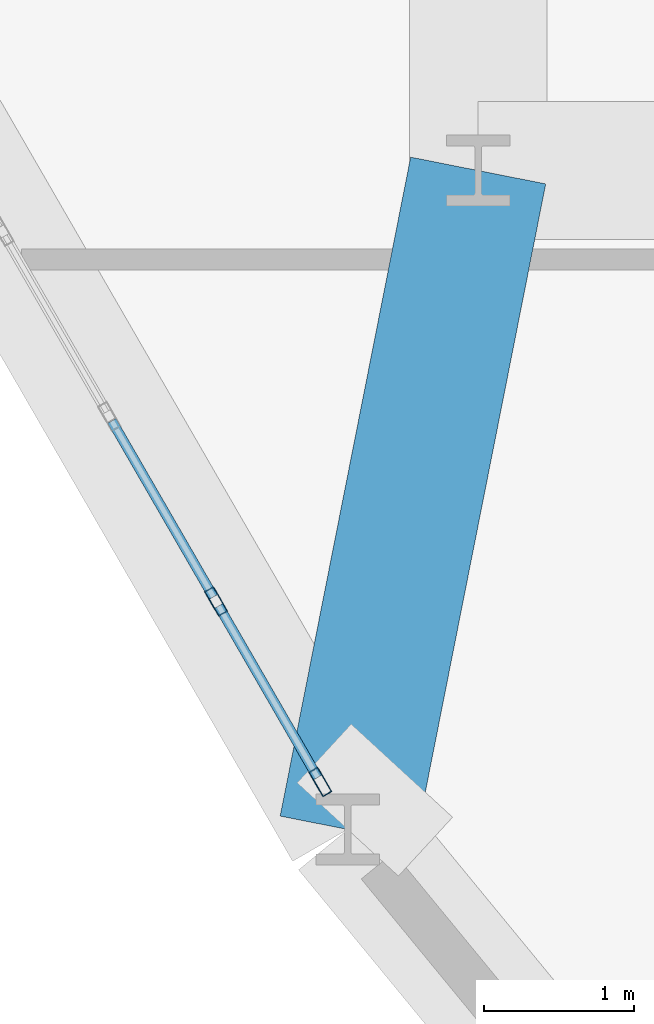
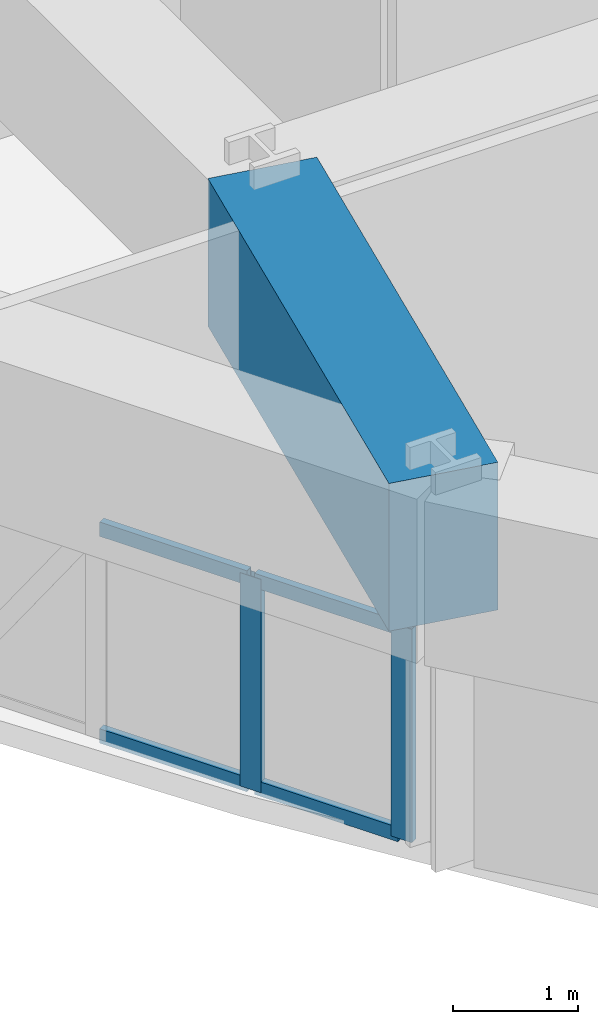
# One storey, part 2 of 17: 6 members, 1 beam, 1 element without a shape of its own.
"""IFC4 building model written with IfcOpenShell, lengths in metres."""

from ifc_helpers import new_model, si_unit, derived_unit, direction, frame, origin, origin_2d, place, context, subcontext, project, spatial, rectangle, hollow_rectangle, extrude, source, transform, mapped, material, layer, layer_set, material_profile, profile_set, type_object, element, aggregate, save


model = new_model("IFC4")

# Units and contexts
model_context = context("Model", 3, precision=1e-05, world=origin(), true_north=direction((0.0, 1.0)))
body_context = subcontext(model_context, "Body", "Model", "MODEL_VIEW")
ifc_project = project(units=[si_unit("LENGTHUNIT", "METRE"), si_unit("AREAUNIT", "SQUARE_METRE"), si_unit("VOLUMEUNIT", "CUBIC_METRE"), si_unit("PLANEANGLEUNIT", "RADIAN"), si_unit("MASSUNIT", "GRAM", prefix="KILO"), derived_unit("THERMALTRANSMITTANCEUNIT", [(si_unit("POWERUNIT", "WATT"), 1), (si_unit("LENGTHUNIT", "METRE"), -2), (si_unit("THERMODYNAMICTEMPERATUREUNIT", "KELVIN"), -1)])], contexts=[model_context])

# Site, building, storey
site_placement = place(None, origin())
site = spatial("IfcSite", under=ifc_project, at=site_placement, CompositionType="ELEMENT")
building_placement = place(site_placement, origin())
building = spatial("IfcBuilding", under=site, at=building_placement, Name="Korsvarv Bourse and Concert Hall", CompositionType="ELEMENT")
storey_placement = place(building_placement, frame((0.0, 0.0, 83.39990234375)))
storey = spatial("IfcBuildingStorey", under=building, at=storey_placement, Name="L20", CompositionType="ELEMENT", Elevation=83.39990234375)

# Beam
ifc_material_1 = material(Name="Concrete C50/60", Category="concrete")
ifc_material_profile_1 = material_profile(ifc_material_1, rectangle(XDim=0.919921875, YDim=1.43994140625, at=origin_2d()), Name="RC-BM 920x1440")
ifc_profile_set_1 = profile_set([ifc_material_profile_1], Name="Concrete C50/60")
beam_type = type_object("IfcBeamType", Name="BM-TR-144", PredefinedType="BEAM", material=ifc_profile_set_1)
shared_shape_1 = source(origin(), body_context, "Body", "SweptSolid", [
    extrude(rectangle(XDim=0.919921875, YDim=1.43994140625, at=origin_2d()), origin(), (0.0, 0.0, 1.0), 4.4873046875),
])
beam_placement = place(storey_placement, frame((26.728515625, 19.59814453125, 2.960205078125), z_axis=(0.194232459341, 0.980955529949, 0.0), x_axis=(-0.980955529949, 0.194232459341, 0.0)))
element("IfcBeam", 1, at=beam_placement, inside=storey, type_object=beam_type, Name="L20 beam B-TR4", PredefinedType="BEAM", context=body_context, shape_type="MappedRepresentation", body=[
    mapped(shared_shape_1, transform((0.0, 0.0, 0.0), scale=1.0)),
])

# Curtain wall, members
ifc_material_2 = material(Name="Anodised aluminium and triple low-E glazing", Category="glass")
ifc_layer = layer(ifc_material_2, 0.219970703125)
ifc_layer_set = layer_set([ifc_layer], Name="Anodised aluminium and triple low-E glazing")
curtain_wall_type = type_object("IfcCurtainWallType", Name="CW-SYS-1", PredefinedType="NOTDEFINED", material=ifc_layer_set)
curtain_wall_placement = place(storey_placement, origin())
curtain_wall = element("IfcCurtainWall", 2, at=curtain_wall_placement, inside=storey, type_object=curtain_wall_type, Name="L20 CW1 curtain wall CW-L20-F07", PredefinedType="NOTDEFINED")
ifc_material_3 = material(Name="Extruded aluminium EN AW-6063 T66", Category="aluminium")
ifc_material_profile_2 = material_profile(ifc_material_3, hollow_rectangle(XDim=0.070068359375, YDim=0.18994140625, WallThickness=0.0048828125, at=origin_2d()), Name="ALU-M 70x190")
ifc_profile_set_2 = profile_set([ifc_material_profile_2], Name="Extruded aluminium EN AW-6063 T66")
member_type_1 = type_object("IfcMemberType", Name="CWM-190", PredefinedType="MULLION", material=ifc_profile_set_2)
shared_shape_2 = source(origin(), body_context, "Body", "SweptSolid", [
    extrude(hollow_rectangle(XDim=0.070068359375, YDim=0.18994140625, WallThickness=0.0048828125, at=origin_2d()), origin(), (0.0, 0.0, 1.0), 2.080078125),
])
member_1_placement = place(storey_placement, frame((25.848876953125, 21.121337890625, 0.0), z_axis=(0.0, 0.0, 1.0), x_axis=(0.866024243871, 0.500002009023, 0.0)))
member_1 = element("IfcMember", 3, at=member_1_placement, type_object=member_type_1, Name="CW1 mullion 10", PredefinedType="MULLION", context=body_context, shape_type="MappedRepresentation", body=[
    mapped(shared_shape_2, transform((0.0, 0.0, 0.0), scale=1.0)),
])
member_2_placement = place(storey_placement, frame((26.545166015625, 19.91552734375, 0.0), z_axis=(0.0, 0.0, 1.0), x_axis=(0.866024243871, 0.500002009023, 0.0)))
member_2 = element("IfcMember", 4, at=member_2_placement, type_object=member_type_1, Name="CW1 mullion 11", PredefinedType="MULLION", context=body_context, shape_type="MappedRepresentation", body=[
    mapped(shared_shape_2, transform((0.0, 0.0, 0.0), scale=1.0)),
])
ifc_material_profile_3 = material_profile(ifc_material_3, hollow_rectangle(XDim=0.06494140625, YDim=0.139892578125, WallThickness=0.00390625, at=origin_2d()), Name="ALU-T 65x140")
ifc_profile_set_3 = profile_set([ifc_material_profile_3], Name="Extruded aluminium EN AW-6063 T66")
member_type_2 = type_object("IfcMemberType", Name="CWT-140", PredefinedType="USERDEFINED", material=ifc_profile_set_3)
shared_shape_3 = source(origin(), body_context, "Body", "SweptSolid", [
    extrude(hollow_rectangle(XDim=0.06494140625, YDim=0.139892578125, WallThickness=0.00390625, at=origin_2d()), origin(), (0.0, 0.0, 1.0), 1.322509765625),
])
member_3_placement = place(storey_placement, frame((25.866455078125, 21.091064453125, 0.03271484375), z_axis=(0.499951520798, -0.866053391456, 0.0), x_axis=(0.866053391456, 0.499951520798, 0.0)))
member_3 = element("IfcMember", 5, at=member_3_placement, type_object=member_type_2, Name="CW1 transom 10.1", ObjectType="TRANSOM", PredefinedType="USERDEFINED", context=body_context, shape_type="MappedRepresentation", body=[
    mapped(shared_shape_3, transform((0.0, 0.0, 0.0), scale=1.0)),
])
member_4_placement = place(storey_placement, frame((25.866455078125, 21.091064453125, 2.047607421875), z_axis=(0.499951520798, -0.866053391456, 0.0), x_axis=(0.866053391456, 0.499951520798, 0.0)))
member_4 = element("IfcMember", 6, at=member_4_placement, type_object=member_type_2, Name="CW1 transom 10.2", ObjectType="TRANSOM", PredefinedType="USERDEFINED", context=body_context, shape_type="MappedRepresentation", body=[
    mapped(shared_shape_3, transform((0.0, 0.0, 0.0), scale=1.0)),
])
shared_shape_4 = source(origin(), body_context, "Body", "SweptSolid", [
    extrude(hollow_rectangle(XDim=0.06494140625, YDim=0.139892578125, WallThickness=0.00390625, at=origin_2d()), origin(), (0.0, 0.0, 1.0), 1.357421875),
])
member_5_placement = place(storey_placement, frame((25.15283203125, 22.3271484375, 0.03271484375), z_axis=(0.500007885066, -0.866020851292, 0.0), x_axis=(0.866020851292, 0.500007885066, 0.0)))
member_5 = element("IfcMember", 7, at=member_5_placement, type_object=member_type_2, Name="CW1 transom 9.1", ObjectType="TRANSOM", PredefinedType="USERDEFINED", context=body_context, shape_type="MappedRepresentation", body=[
    mapped(shared_shape_4, transform((0.0, 0.0, 0.0), scale=1.0)),
])
member_6_placement = place(storey_placement, frame((25.15283203125, 22.3271484375, 2.047607421875), z_axis=(0.500007885066, -0.866020851292, 0.0), x_axis=(0.866020851292, 0.500007885066, 0.0)))
member_6 = element("IfcMember", 8, at=member_6_placement, type_object=member_type_2, Name="CW1 transom 9.2", ObjectType="TRANSOM", PredefinedType="USERDEFINED", context=body_context, shape_type="MappedRepresentation", body=[
    mapped(shared_shape_4, transform((0.0, 0.0, 0.0), scale=1.0)),
])
aggregate(curtain_wall, [member_1, member_2, member_5, member_6, member_3, member_4])

save(model, "model.ifc")
